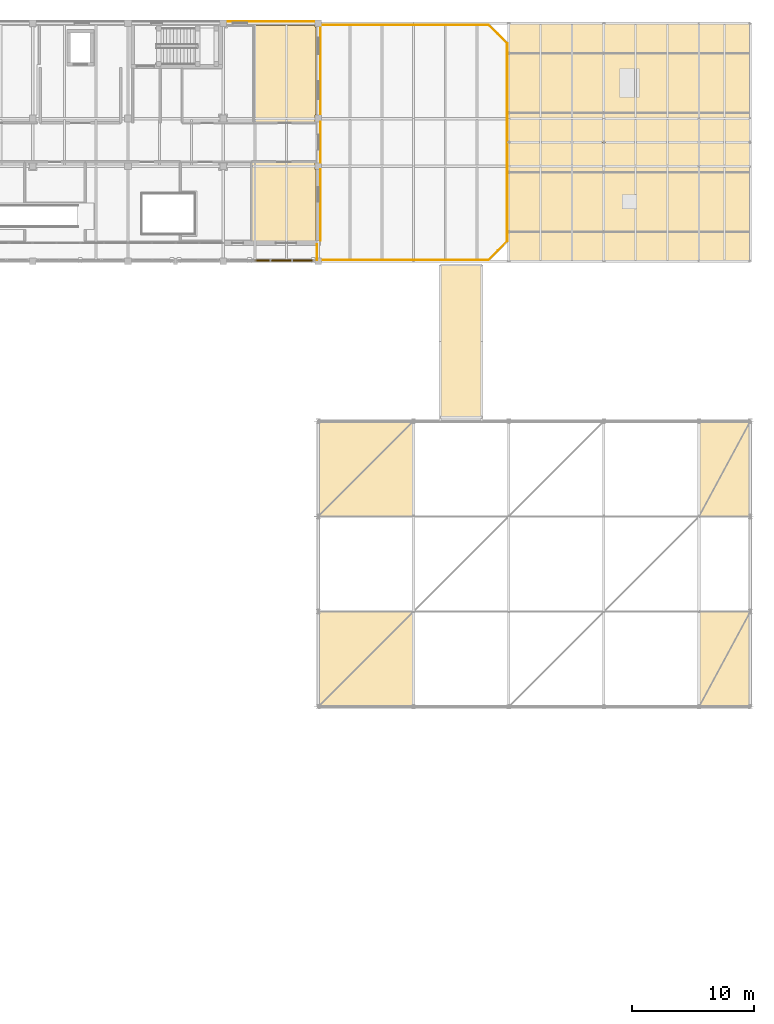
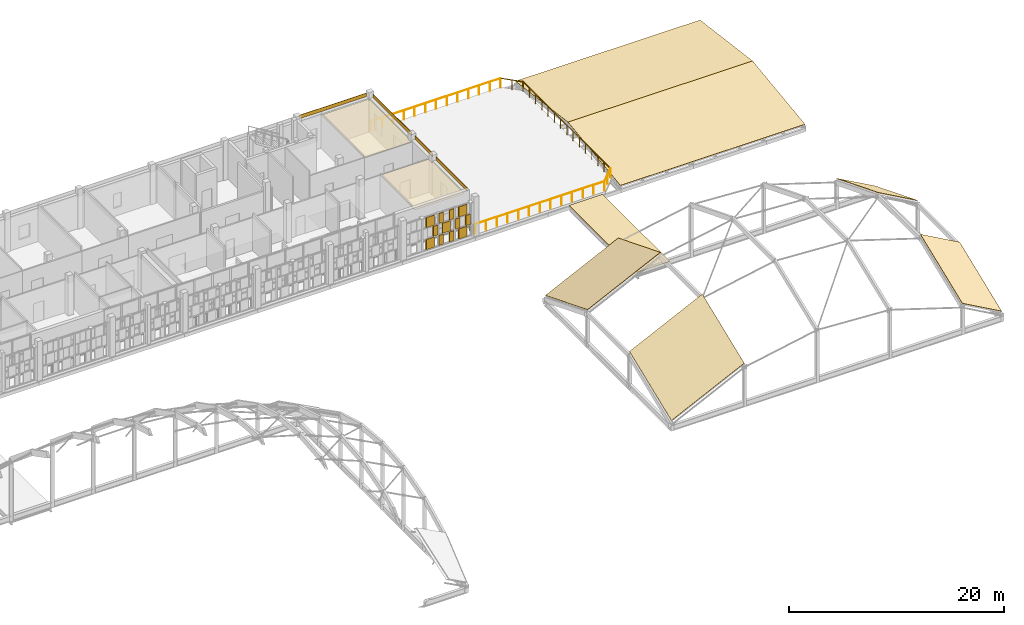
# One storey, part 119 of 119: 25 coverings, 6 railings.
"""IFC4 building model written with IfcOpenShell, lengths in metres."""

from ifc_helpers import new_model, si_unit, direction, frame, origin, origin_2d, place, context, subcontext, project, spatial, polyline, rectangle, circle, outline, extrude, material, layer, layer_set, type_object, element, save


model = new_model("IFC4")

# Units and contexts
model_context = context("Model", 3, precision=1e-05, world=origin(), true_north=direction((0.0, 1.0)))
body_context = subcontext(model_context, "Body", "Model", "MODEL_VIEW")
ifc_project = project(units=[si_unit("LENGTHUNIT", "METRE"), si_unit("AREAUNIT", "SQUARE_METRE"), si_unit("VOLUMEUNIT", "CUBIC_METRE"), si_unit("PLANEANGLEUNIT", "RADIAN"), si_unit("MASSUNIT", "GRAM", prefix="KILO")], contexts=[model_context])

# Site, building, storey
site_placement = place(None, origin())
site = spatial("IfcSite", under=ifc_project, at=site_placement, CompositionType="ELEMENT")
building_placement = place(site_placement, origin())
building = spatial("IfcBuilding", under=site, at=building_placement, Name="Celorna Specialist Clinic", CompositionType="ELEMENT")
storey_placement = place(building_placement, frame((0.0, 0.0, 9.60009765625)))
storey = spatial("IfcBuildingStorey", under=building, at=storey_placement, Name="L02", CompositionType="ELEMENT", Elevation=9.60009765625)

# Railings
ifc_material_1 = material(Name="Stainless steel and laminated glass balustrade", Category="steel")
railing_type = type_object("IfcRailingType", Name="BL-01", PredefinedType="BALUSTRADE", material=ifc_material_1)
railing_1_placement = place(storey_placement, frame((132.47998046875, 97.8798828125, 0.0)))
element("IfcRailing", 1, at=railing_1_placement, inside=storey, type_object=railing_type, Name="Outpatient L02 Cloister Veranda perimeter balustrade 3", PredefinedType="BALUSTRADE", context=body_context, shape_type="SweptSolid", body=[
    extrude(circle(Radius=0.02392578125, at=origin_2d()), frame((0.0, 0.0, 1.09619140625), z_axis=(0.0, -1.0, 0.0), x_axis=(1.0, 0.0, 0.0)), (0.0, 0.0, 1.0), 1.259765625),
    extrude(circle(Radius=0.02099609375, at=origin_2d()), origin(), (0.0, 0.0, 1.0), 1.072021484375),
    extrude(circle(Radius=0.02099609375, at=origin_2d()), frame((0.0, -0.6298828125, 0.0)), (0.0, 0.0, 1.0), 1.072021484375),
    extrude(circle(Radius=0.02099609375, at=origin_2d()), frame((0.0, -1.259765625, 0.0)), (0.0, 0.0, 1.0), 1.072021484375),
])
railing_2_placement = place(storey_placement, frame((132.719970703125, 115.8798828125, 0.0)))
element("IfcRailing", 2, at=railing_2_placement, inside=storey, type_object=railing_type, Name="Cardiology Rehabilitation Terrace perimeter balustrade 2", PredefinedType="BALUSTRADE", context=body_context, shape_type="SweptSolid", body=[
    extrude(circle(Radius=0.02392578125, at=origin_2d()), frame((0.0, 0.0, 1.09619140625), z_axis=(1.0, 0.0, 0.0), x_axis=(0.0, 1.0, 0.0)), (0.0, 0.0, 1.0), 13.830322265625),
    extrude(circle(Radius=0.02099609375, at=origin_2d()), origin(), (0.0, 0.0, 1.0), 1.072021484375),
    extrude(circle(Radius=0.02099609375, at=origin_2d()), frame((1.152587890625, 0.0, 0.0)), (0.0, 0.0, 1.0), 1.072021484375),
    extrude(circle(Radius=0.02099609375, at=origin_2d()), frame((2.30517578125, 0.0, 0.0)), (0.0, 0.0, 1.0), 1.072021484375),
    extrude(circle(Radius=0.02099609375, at=origin_2d()), frame((3.45751953125, 0.0, 0.0)), (0.0, 0.0, 1.0), 1.072021484375),
    extrude(circle(Radius=0.02099609375, at=origin_2d()), frame((4.610107421875, 0.0, 0.0)), (0.0, 0.0, 1.0), 1.072021484375),
    extrude(circle(Radius=0.02099609375, at=origin_2d()), frame((5.7626953125, 0.0, 0.0)), (0.0, 0.0, 1.0), 1.072021484375),
    extrude(circle(Radius=0.02099609375, at=origin_2d()), frame((6.9150390625, 0.0, 0.0)), (0.0, 0.0, 1.0), 1.072021484375),
    extrude(circle(Radius=0.02099609375, at=origin_2d()), frame((8.067626953125, 0.0, 0.0)), (0.0, 0.0, 1.0), 1.072021484375),
    extrude(circle(Radius=0.02099609375, at=origin_2d()), frame((9.22021484375, 0.0, 0.0)), (0.0, 0.0, 1.0), 1.072021484375),
    extrude(circle(Radius=0.02099609375, at=origin_2d()), frame((10.372802734375, 0.0, 0.0)), (0.0, 0.0, 1.0), 1.072021484375),
    extrude(circle(Radius=0.02099609375, at=origin_2d()), frame((11.525390625, 0.0, 0.0)), (0.0, 0.0, 1.0), 1.072021484375),
    extrude(circle(Radius=0.02099609375, at=origin_2d()), frame((12.677734375, 0.0, 0.0)), (0.0, 0.0, 1.0), 1.072021484375),
    extrude(circle(Radius=0.02099609375, at=origin_2d()), frame((13.830322265625, 0.0, 0.0)), (0.0, 0.0, 1.0), 1.072021484375),
])
railing_3_placement = place(storey_placement, frame((146.55029296875, 115.8798828125, 0.0)))
element("IfcRailing", 3, at=railing_3_placement, inside=storey, type_object=railing_type, Name="Cardiology Rehabilitation Terrace perimeter balustrade 3", PredefinedType="BALUSTRADE", context=body_context, shape_type="SweptSolid", body=[
    extrude(circle(Radius=0.02392578125, at=origin_2d()), frame((0.0, 0.0, 1.09619140625), z_axis=(0.707163207534, -0.707050350336, 0.0), x_axis=(0.707050350336, 0.707163207534, 0.0)), (0.0, 0.0, 1.0), 2.163330078125),
    extrude(circle(Radius=0.02099609375, at=origin_2d()), origin(), (0.0, 0.0, 1.0), 1.072021484375),
    extrude(circle(Radius=0.02099609375, at=origin_2d()), frame((0.764892578125, -0.7646484375, 0.0)), (0.0, 0.0, 1.0), 1.072021484375),
    extrude(circle(Radius=0.02099609375, at=origin_2d()), frame((1.52978515625, -1.529541015625, 0.0)), (0.0, 0.0, 1.0), 1.072021484375),
])
railing_4_placement = place(storey_placement, frame((148.080078125, 114.350341796875, 0.0)))
element("IfcRailing", 4, at=railing_4_placement, inside=storey, type_object=railing_type, Name="Cardiology Rehabilitation Terrace perimeter balustrade 4", PredefinedType="BALUSTRADE", context=body_context, shape_type="SweptSolid", body=[
    extrude(circle(Radius=0.02392578125, at=origin_2d()), frame((0.0, 0.0, 1.09619140625), z_axis=(0.0, -1.0, 0.0), x_axis=(1.0, 0.0, 0.0)), (0.0, 0.0, 1.0), 16.20068359375),
    extrude(circle(Radius=0.02099609375, at=origin_2d()), origin(), (0.0, 0.0, 1.0), 1.072021484375),
    extrude(circle(Radius=0.02099609375, at=origin_2d()), frame((0.0, -1.1572265625, 0.0)), (0.0, 0.0, 1.0), 1.072021484375),
    extrude(circle(Radius=0.02099609375, at=origin_2d()), frame((0.0, -2.314453125, 0.0)), (0.0, 0.0, 1.0), 1.072021484375),
    extrude(circle(Radius=0.02099609375, at=origin_2d()), frame((0.0, -3.4716796875, 0.0)), (0.0, 0.0, 1.0), 1.072021484375),
    extrude(circle(Radius=0.02099609375, at=origin_2d()), frame((0.0, -4.628662109375, 0.0)), (0.0, 0.0, 1.0), 1.072021484375),
    extrude(circle(Radius=0.02099609375, at=origin_2d()), frame((0.0, -5.785888671875, 0.0)), (0.0, 0.0, 1.0), 1.072021484375),
    extrude(circle(Radius=0.02099609375, at=origin_2d()), frame((0.0, -6.943115234375, 0.0)), (0.0, 0.0, 1.0), 1.072021484375),
    extrude(circle(Radius=0.02099609375, at=origin_2d()), frame((0.0, -8.100341796875, 0.0)), (0.0, 0.0, 1.0), 1.072021484375),
    extrude(circle(Radius=0.02099609375, at=origin_2d()), frame((0.0, -9.257568359375, 0.0)), (0.0, 0.0, 1.0), 1.072021484375),
    extrude(circle(Radius=0.02099609375, at=origin_2d()), frame((0.0, -10.414794921875, 0.0)), (0.0, 0.0, 1.0), 1.072021484375),
    extrude(circle(Radius=0.02099609375, at=origin_2d()), frame((0.0, -11.572021484375, 0.0)), (0.0, 0.0, 1.0), 1.072021484375),
    extrude(circle(Radius=0.02099609375, at=origin_2d()), frame((0.0, -12.72900390625, 0.0)), (0.0, 0.0, 1.0), 1.072021484375),
    extrude(circle(Radius=0.02099609375, at=origin_2d()), frame((0.0, -13.88623046875, 0.0)), (0.0, 0.0, 1.0), 1.072021484375),
    extrude(circle(Radius=0.02099609375, at=origin_2d()), frame((0.0, -15.04345703125, 0.0)), (0.0, 0.0, 1.0), 1.072021484375),
    extrude(circle(Radius=0.02099609375, at=origin_2d()), frame((0.0, -16.20068359375, 0.0)), (0.0, 0.0, 1.0), 1.072021484375),
])
railing_5_placement = place(storey_placement, frame((148.080078125, 98.149658203125, 0.0)))
element("IfcRailing", 5, at=railing_5_placement, inside=storey, type_object=railing_type, Name="Cardiology Rehabilitation Terrace perimeter balustrade 5", PredefinedType="BALUSTRADE", context=body_context, shape_type="SweptSolid", body=[
    extrude(circle(Radius=0.02392578125, at=origin_2d()), frame((0.0, 0.0, 1.09619140625), z_axis=(-0.707163207534, -0.707050350336, 0.0), x_axis=(0.707050350336, -0.707163207534, 0.0)), (0.0, 0.0, 1.0), 2.163330078125),
    extrude(circle(Radius=0.02099609375, at=origin_2d()), origin(), (0.0, 0.0, 1.0), 1.072021484375),
    extrude(circle(Radius=0.02099609375, at=origin_2d()), frame((-0.764892578125, -0.7646484375, 0.0)), (0.0, 0.0, 1.0), 1.072021484375),
    extrude(circle(Radius=0.02099609375, at=origin_2d()), frame((-1.52978515625, -1.529541015625, 0.0)), (0.0, 0.0, 1.0), 1.072021484375),
])
railing_6_placement = place(storey_placement, frame((146.55029296875, 96.6201171875, 0.0)))
element("IfcRailing", 6, at=railing_6_placement, inside=storey, type_object=railing_type, Name="Cardiology Rehabilitation Terrace perimeter balustrade 6", PredefinedType="BALUSTRADE", context=body_context, shape_type="SweptSolid", body=[
    extrude(circle(Radius=0.02392578125, at=origin_2d()), frame((0.0, 0.0, 1.09619140625), z_axis=(-1.0, 0.0, 0.0), x_axis=(0.0, -1.0, 0.0)), (0.0, 0.0, 1.0), 13.830322265625),
    extrude(circle(Radius=0.02099609375, at=origin_2d()), origin(), (0.0, 0.0, 1.0), 1.072021484375),
    extrude(circle(Radius=0.02099609375, at=origin_2d()), frame((-1.152587890625, 0.0, 0.0)), (0.0, 0.0, 1.0), 1.072021484375),
    extrude(circle(Radius=0.02099609375, at=origin_2d()), frame((-2.30517578125, 0.0, 0.0)), (0.0, 0.0, 1.0), 1.072021484375),
    extrude(circle(Radius=0.02099609375, at=origin_2d()), frame((-3.45751953125, 0.0, 0.0)), (0.0, 0.0, 1.0), 1.072021484375),
    extrude(circle(Radius=0.02099609375, at=origin_2d()), frame((-4.610107421875, 0.0, 0.0)), (0.0, 0.0, 1.0), 1.072021484375),
    extrude(circle(Radius=0.02099609375, at=origin_2d()), frame((-5.7626953125, 0.0, 0.0)), (0.0, 0.0, 1.0), 1.072021484375),
    extrude(circle(Radius=0.02099609375, at=origin_2d()), frame((-6.9150390625, 0.0, 0.0)), (0.0, 0.0, 1.0), 1.072021484375),
    extrude(circle(Radius=0.02099609375, at=origin_2d()), frame((-8.067626953125, 0.0, 0.0)), (0.0, 0.0, 1.0), 1.072021484375),
    extrude(circle(Radius=0.02099609375, at=origin_2d()), frame((-9.22021484375, 0.0, 0.0)), (0.0, 0.0, 1.0), 1.072021484375),
    extrude(circle(Radius=0.02099609375, at=origin_2d()), frame((-10.372802734375, 0.0, 0.0)), (0.0, 0.0, 1.0), 1.072021484375),
    extrude(circle(Radius=0.02099609375, at=origin_2d()), frame((-11.525390625, 0.0, 0.0)), (0.0, 0.0, 1.0), 1.072021484375),
    extrude(circle(Radius=0.02099609375, at=origin_2d()), frame((-12.677734375, 0.0, 0.0)), (0.0, 0.0, 1.0), 1.072021484375),
    extrude(circle(Radius=0.02099609375, at=origin_2d()), frame((-13.830322265625, 0.0, 0.0)), (0.0, 0.0, 1.0), 1.072021484375),
])

# Coverings
ifc_material_2 = material(Name="Hygienic acoustic mineral-fibre ceiling")
ifc_layer_1 = layer(ifc_material_2, 0.030029296875, Name="Hygienic acoustic mineral-fibre ceiling")
ifc_layer_set_1 = layer_set([ifc_layer_1], Name="Hygienic acoustic mineral-fibre ceiling")
covering_type_1 = type_object("IfcCoveringType", Name="CE-01", PredefinedType="CEILING", material=ifc_layer_set_1)
covering_1_placement = place(storey_placement, frame((0.0, 0.0, 3.68994140625)))
element("IfcCovering", 7, at=covering_1_placement, inside=storey, type_object=covering_type_1, Name="Acoustic ceiling L02-040", PredefinedType="CEILING", context=body_context, shape_type="SweptSolid", body=[
    extrude(outline(polyline([(132.330078125, 104.6650390625), (132.330078125, 104.580078125), (132.320068359375, 104.580078125), (132.320068359375, 104.02001953125), (132.425048828125, 104.02001953125), (132.425048828125, 98.175048828125), (127.125, 98.175048828125), (127.125, 104.6650390625), (132.330078125, 104.6650390625)])), origin(), (0.0, 0.0, 1.0), 0.030029296875),
])
covering_2_placement = place(storey_placement, frame((0.0, 0.0, 3.68994140625)))
element("IfcCovering", 8, at=covering_2_placement, inside=storey, type_object=covering_type_1, Name="Acoustic ceiling L02-050", PredefinedType="CEILING", context=body_context, shape_type="SweptSolid", body=[
    extrude(outline(polyline([(132.320068359375, 115.824951171875), (132.320068359375, 115.719970703125), (132.425048828125, 115.719970703125), (132.425048828125, 108.47998046875), (132.320068359375, 108.47998046875), (132.320068359375, 107.919921875), (132.330078125, 107.919921875), (132.330078125, 107.8349609375), (127.27490234375, 107.8349609375), (127.27490234375, 115.824951171875), (132.320068359375, 115.824951171875)])), origin(), (0.0, 0.0, 1.0), 0.030029296875),
])
ifc_material_3 = material(Name="Pero Pinheiro Lioz limestone rainscreen cladding", Category="masonry")
ifc_layer_2 = layer(ifc_material_3, 0.044921875, Name="Pero Pinheiro Lioz limestone rainscreen cladding")
ifc_layer_set_2 = layer_set([ifc_layer_2], Name="Pero Pinheiro Lioz limestone rainscreen cladding")
covering_type_2 = type_object("IfcCoveringType", Name="CL-01", PredefinedType="CLADDING", material=ifc_layer_set_2)
covering_3_placement = place(storey_placement, frame((128.699951171875, 116.16748046875, 3.83984375), z_axis=(0.0, 0.0, 1.0), x_axis=(1.0, 0.0, 0.0)))
element("IfcCovering", 9, at=covering_3_placement, inside=storey, type_object=covering_type_2, Name="Lioz spandrel cladding #247", PredefinedType="CLADDING", context=body_context, shape_type="SweptSolid", body=[
    extrude(rectangle(XDim=7.25, YDim=0.044921875, at=origin_2d()), origin(), (0.0, 0.0, 1.0), 0.39990234375),
])
covering_4_placement = place(storey_placement, frame((132.767578125, 101.107421875, 3.83984375), z_axis=(0.0, 0.0, 1.0), x_axis=(0.0, -1.0, 0.0)))
element("IfcCovering", 10, at=covering_4_placement, inside=storey, type_object=covering_type_2, Name="Lioz spandrel cladding #251", PredefinedType="CLADDING", context=body_context, shape_type="SweptSolid", body=[
    extrude(rectangle(XDim=5.8349609375, YDim=0.044921875, at=origin_2d()), origin(), (0.0, 0.0, 1.0), 0.39990234375),
])
covering_5_placement = place(storey_placement, frame((132.767578125, 106.25, 3.83984375), z_axis=(0.0, 0.0, 1.0), x_axis=(0.0, -1.0, 0.0)))
element("IfcCovering", 11, at=covering_5_placement, inside=storey, type_object=covering_type_2, Name="Lioz spandrel cladding #252", PredefinedType="CLADDING", context=body_context, shape_type="SweptSolid", body=[
    extrude(rectangle(XDim=3.35009765625, YDim=0.044921875, at=origin_2d()), origin(), (0.0, 0.0, 1.0), 0.39990234375),
])
covering_6_placement = place(storey_placement, frame((132.767578125, 112.10009765625, 3.83984375), z_axis=(0.0, 0.0, 1.0), x_axis=(0.0, -1.0, 0.0)))
element("IfcCovering", 12, at=covering_6_placement, inside=storey, type_object=covering_type_2, Name="Lioz spandrel cladding #253", PredefinedType="CLADDING", context=body_context, shape_type="SweptSolid", body=[
    extrude(rectangle(XDim=7.25, YDim=0.044921875, at=origin_2d()), origin(), (0.0, 0.0, 1.0), 0.39990234375),
])
ifc_material_4 = material(Name="Perforated terracotta brick weave cladding", Category="masonry")
ifc_layer_3 = layer(ifc_material_4, 0.114990234375, Name="Perforated terracotta brick weave cladding")
ifc_layer_set_3 = layer_set([ifc_layer_3], Name="Perforated terracotta brick weave cladding")
covering_type_3 = type_object("IfcCoveringType", Name="CL-02", PredefinedType="CLADDING", material=ifc_layer_set_3)
covering_7_placement = place(storey_placement, frame((127.82861328125, 96.570068359375, 0.10009765625), z_axis=(0.0, 0.0, 1.0), x_axis=(1.0, 0.0, 0.0)))
element("IfcCovering", 13, at=covering_7_placement, inside=storey, type_object=covering_type_3, Name="Woven perforated terracotta brick course #1045", PredefinedType="CLADDING", context=body_context, shape_type="SweptSolid", body=[
    extrude(rectangle(XDim=0.876220703125, YDim=0.114990234375, at=origin_2d()), origin(), (0.0, 0.0, 1.0), 1.146728515625),
])
covering_8_placement = place(storey_placement, frame((128.392578125, 96.570068359375, 1.3466796875), z_axis=(0.0, 0.0, 1.0), x_axis=(1.0, 0.0, 0.0)))
element("IfcCovering", 14, at=covering_8_placement, inside=storey, type_object=covering_type_3, Name="Woven perforated terracotta brick course #1047", PredefinedType="CLADDING", context=body_context, shape_type="SweptSolid", body=[
    extrude(rectangle(XDim=0.494873046875, YDim=0.114990234375, at=origin_2d()), origin(), (0.0, 0.0, 1.0), 1.146484375),
])
covering_9_placement = place(storey_placement, frame((127.82861328125, 96.570068359375, 2.59326171875), z_axis=(0.0, 0.0, 1.0), x_axis=(1.0, 0.0, 0.0)))
element("IfcCovering", 15, at=covering_9_placement, inside=storey, type_object=covering_type_3, Name="Woven perforated terracotta brick course #1048", PredefinedType="CLADDING", context=body_context, shape_type="SweptSolid", body=[
    extrude(rectangle(XDim=0.876220703125, YDim=0.114990234375, at=origin_2d()), origin(), (0.0, 0.0, 1.0), 1.146728515625),
])
for number, where, z_axis, x_axis, name in (
    (16, (129.007568359375, 96.570068359375, 0.10009765625), (0.0, 0.0, 1.0), (1.0, 0.0, 0.0), "Woven perforated terracotta brick course #1049"),
    (17, (130.135009765625, 96.570068359375, 0.10009765625), (0.0, 0.0, 1.0), (1.0, 0.0, 0.0), "Woven perforated terracotta brick course #1050"),
):
    element("IfcCovering", number, at=place(storey_placement, frame(where, z_axis=z_axis, x_axis=x_axis)), inside=storey, type_object=covering_type_3, Name=name, PredefinedType="CLADDING", context=body_context, shape_type="SweptSolid", body=[
        extrude(rectangle(XDim=0.494873046875, YDim=0.114990234375, at=origin_2d()), origin(), (0.0, 0.0, 1.0), 1.146728515625),
    ])
covering_10_placement = place(storey_placement, frame((129.5712890625, 96.570068359375, 1.3466796875), z_axis=(0.0, 0.0, 1.0), x_axis=(1.0, 0.0, 0.0)))
element("IfcCovering", 18, at=covering_10_placement, inside=storey, type_object=covering_type_3, Name="Woven perforated terracotta brick course #1051", PredefinedType="CLADDING", context=body_context, shape_type="SweptSolid", body=[
    extrude(rectangle(XDim=0.876220703125, YDim=0.114990234375, at=origin_2d()), origin(), (0.0, 0.0, 1.0), 1.146484375),
])
for number, where, z_axis, x_axis, name in (
    (19, (129.007568359375, 96.570068359375, 2.59326171875), (0.0, 0.0, 1.0), (1.0, 0.0, 0.0), "Woven perforated terracotta brick course #1052"),
    (20, (130.135009765625, 96.570068359375, 2.59326171875), (0.0, 0.0, 1.0), (1.0, 0.0, 0.0), "Woven perforated terracotta brick course #1053"),
):
    element("IfcCovering", number, at=place(storey_placement, frame(where, z_axis=z_axis, x_axis=x_axis)), inside=storey, type_object=covering_type_3, Name=name, PredefinedType="CLADDING", context=body_context, shape_type="SweptSolid", body=[
        extrude(rectangle(XDim=0.494873046875, YDim=0.114990234375, at=origin_2d()), origin(), (0.0, 0.0, 1.0), 1.146728515625),
    ])
covering_11_placement = place(storey_placement, frame((131.313720703125, 96.570068359375, 0.10009765625), z_axis=(0.0, 0.0, 1.0), x_axis=(1.0, 0.0, 0.0)))
element("IfcCovering", 21, at=covering_11_placement, inside=storey, type_object=covering_type_3, Name="Woven perforated terracotta brick course #1054", PredefinedType="CLADDING", context=body_context, shape_type="SweptSolid", body=[
    extrude(rectangle(XDim=0.876220703125, YDim=0.114990234375, at=origin_2d()), origin(), (0.0, 0.0, 1.0), 1.146728515625),
])
for number, where, z_axis, x_axis, name in (
    (22, (130.75, 96.570068359375, 1.3466796875), (0.0, 0.0, 1.0), (1.0, 0.0, 0.0), "Woven perforated terracotta brick course #1055"),
    (23, (131.877685546875, 96.570068359375, 1.3466796875), (0.0, 0.0, 1.0), (1.0, 0.0, 0.0), "Woven perforated terracotta brick course #1056"),
):
    element("IfcCovering", number, at=place(storey_placement, frame(where, z_axis=z_axis, x_axis=x_axis)), inside=storey, type_object=covering_type_3, Name=name, PredefinedType="CLADDING", context=body_context, shape_type="SweptSolid", body=[
        extrude(rectangle(XDim=0.494873046875, YDim=0.114990234375, at=origin_2d()), origin(), (0.0, 0.0, 1.0), 1.146484375),
    ])
covering_12_placement = place(storey_placement, frame((131.313720703125, 96.570068359375, 2.59326171875), z_axis=(0.0, 0.0, 1.0), x_axis=(1.0, 0.0, 0.0)))
element("IfcCovering", 24, at=covering_12_placement, inside=storey, type_object=covering_type_3, Name="Woven perforated terracotta brick course #1057", PredefinedType="CLADDING", context=body_context, shape_type="SweptSolid", body=[
    extrude(rectangle(XDim=0.876220703125, YDim=0.114990234375, at=origin_2d()), origin(), (0.0, 0.0, 1.0), 1.146728515625),
])
ifc_material_5 = material(Name="Standing-seam zinc and EPDM acoustic roofing membrane")
ifc_layer_4 = layer(ifc_material_5, 0.0400390625, Name="Standing-seam zinc and EPDM acoustic roofing membrane")
ifc_layer_set_4 = layer_set([ifc_layer_4], Name="Standing-seam zinc and EPDM acoustic roofing membrane")
covering_type_4 = type_object("IfcCoveringType", Name="RFG-01", PredefinedType="ROOFING", material=ifc_layer_set_4)
covering_13_placement = place(storey_placement, origin())
element("IfcCovering", 25, at=covering_13_placement, inside=storey, type_object=covering_type_4, Name="Cloister bridge BR-05 standing-seam roofing", PredefinedType="ROOFING", context=body_context, shape_type="SweptSolid", body=[
    extrude(outline(polyline([(142.5, 83.659912109375), (146.10009765625, 83.659912109375), (146.10009765625, 96.199951171875), (142.5, 96.199951171875), (142.5, 83.659912109375)])), origin(), (0.0, 0.0, 1.0), 0.039794921875),
])
covering_14_placement = place(storey_placement, frame((132.60009765625, 60.0, 1.06982421875), z_axis=(-0.409532421146, -0.337466012877, 0.847584736875), x_axis=(0.900403896802, 4.030645e-06, 0.435054965043)))
element("IfcCovering", 26, at=covering_14_placement, inside=storey, type_object=covering_type_4, Name="GSH-V3 gridshell standing-seam roofing 1-1", PredefinedType="ROOFING", context=body_context, shape_type="SweptSolid", body=[
    extrude(outline(polyline([(0.0, 0.0), (8.662609177339029, 0.0), (10.013690215036148, 8.286089421266889), (1.3511872522881938, 8.28616360438758), (0.0, 0.0)])), origin(), (0.0, 0.0, -1.0), 0.0400390625),
])
covering_15_placement = place(storey_placement, frame((132.60009765625, 75.60009765625, 4.175537109375), z_axis=(-0.409530961293, 0.337475372858, 0.847581715504), x_axis=(0.900405154124, 4.030791e-06, 0.435052362838)))
element("IfcCovering", 27, at=covering_15_placement, inside=storey, type_object=covering_type_4, Name="GSH-V3 gridshell standing-seam roofing 1-3", PredefinedType="ROOFING", context=body_context, shape_type="SweptSolid", body=[
    extrude(outline(polyline([(0.0, 0.0), (8.6625029630656, -2.220446049250313e-16), (7.311492885044143, 8.285871171986265), (-1.3511162919772273, 8.28594535807412), (0.0, 0.0)])), origin(), (0.0, 0.0, -1.0), 0.0400390625),
])
covering_16_placement = place(storey_placement, frame((163.800048828125, 60.0, 3.422119140625), z_axis=(0.461594773125, -0.328153723184, 0.824163454288), x_axis=(0.872477474798, 0.0, -0.488654331784)))
element("IfcCovering", 28, at=covering_16_placement, inside=storey, type_object=covering_type_4, Name="GSH-V3 gridshell standing-seam roofing 5-1", PredefinedType="ROOFING", context=body_context, shape_type="SweptSolid", body=[
    extrude(outline(polyline([(0.0, 0.0), (4.813821895917329, 1.1102230246251565e-16), (3.2962018386370913, 8.257302443405427), (-1.5176200572802372, 8.257302443405427), (0.0, 0.0)])), origin(), (0.0, 0.0, -1.0), 0.0400390625),
])
covering_17_placement = place(storey_placement, frame((163.800048828125, 75.60009765625, 6.52783203125), z_axis=(0.461593217244, 0.328162888548, 0.824160676309), x_axis=(0.872477474798, 0.0, -0.488654331784)))
element("IfcCovering", 29, at=covering_17_placement, inside=storey, type_object=covering_type_4, Name="GSH-V3 gridshell standing-seam roofing 5-3", PredefinedType="ROOFING", context=body_context, shape_type="SweptSolid", body=[
    extrude(outline(polyline([(0.0, 0.0), (4.813821895917329, -2.220446049250313e-16), (6.331441953197565, 8.257071822618595), (1.5176200572802372, 8.257071822618597), (0.0, 0.0)])), origin(), (0.0, 0.0, -1.0), 0.0400390625),
])
for number, where, z_axis, x_axis, name in (
    (30, (148.199951171875, 96.5, 0.119873046875), (0.0, -0.129167216148, 0.991622826619), (1.0, 0.0, 0.0), "Standing-seam zinc roofing ROOF-V4-EAST-S"),
    (31, (148.199951171875, 106.25, 1.389892578125), (0.0, 0.129167216148, 0.991622826619), (1.0, 0.0, 0.0), "Standing-seam zinc roofing ROOF-V4-EAST-N"),
):
    element("IfcCovering", number, at=place(storey_placement, frame(where, z_axis=z_axis, x_axis=x_axis)), inside=storey, type_object=covering_type_4, Name=name, PredefinedType="ROOFING", context=body_context, shape_type="SweptSolid", body=[
        extrude(outline(polyline([(0.0, 0.0), (19.800048828125, 0.0), (19.800048828125, 9.832367446843943), (0.0, 9.832367446843943), (0.0, 0.0)])), origin(), (0.0, 0.0, -1.0), 0.0400390625),
    ])

save(model, "model.ifc")
